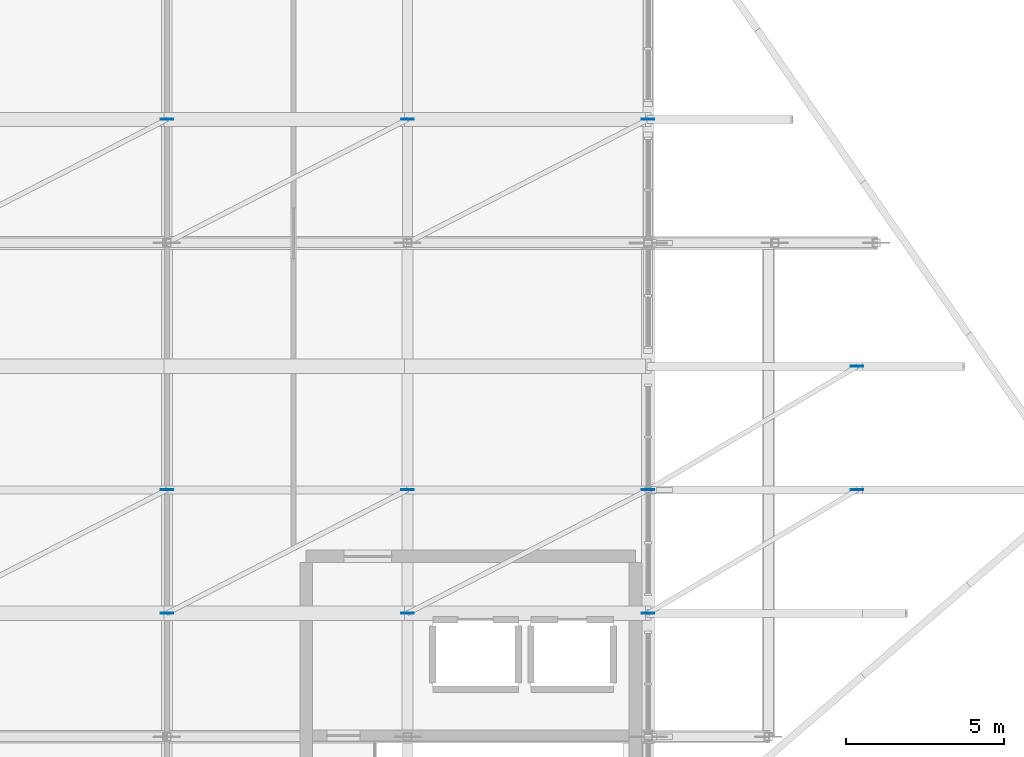
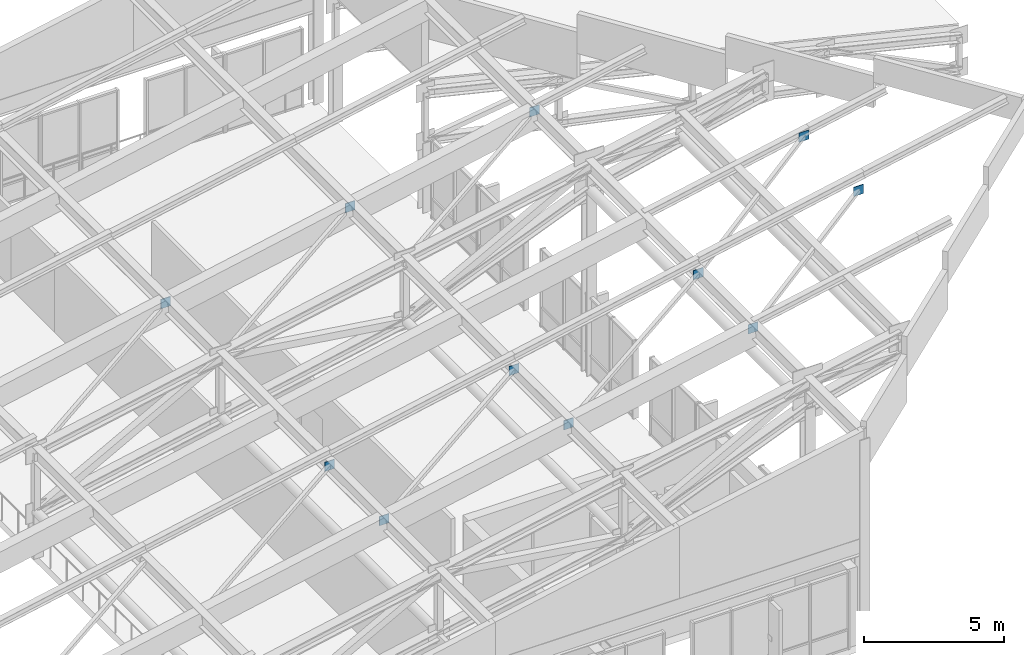
# One storey, part 48 of 73: 11 plates.
"""IFC4 building model written with IfcOpenShell, lengths in metres."""

from ifc_helpers import new_model, si_unit, direction, frame, origin, origin_2d, place, context, subcontext, project, spatial, rectangle, extrude, material, layer, layer_set, type_object, element, save


model = new_model("IFC4")

# Units and contexts
model_context = context("Model", 3, precision=1e-05, world=origin(), true_north=direction((0.0, 1.0)))
body_context = subcontext(model_context, "Body", "Model", "MODEL_VIEW")
ifc_project = project(units=[si_unit("LENGTHUNIT", "METRE"), si_unit("AREAUNIT", "SQUARE_METRE"), si_unit("VOLUMEUNIT", "CUBIC_METRE"), si_unit("PLANEANGLEUNIT", "RADIAN"), si_unit("MASSUNIT", "GRAM", prefix="KILO")], contexts=[model_context])

# Site, building, storey
site_placement = place(None, origin())
site = spatial("IfcSite", under=ifc_project, at=site_placement, CompositionType="ELEMENT")
building_placement = place(site_placement, origin())
building = spatial("IfcBuilding", under=site, at=building_placement, Name="Vervanel Yard Central Library", CompositionType="ELEMENT")
storey_placement = place(building_placement, frame((0.0, 0.0, 12.780029296875)))
storey = spatial("IfcBuildingStorey", under=building, at=storey_placement, Name="L03", CompositionType="ELEMENT", Elevation=12.780029296875)

# Plates
ifc_material = material(Name="Steel ASTM A572 Grade 50", Category="steel")
ifc_layer = layer(ifc_material, 0.028076171875, Category="steel")
ifc_layer_set = layer_set([ifc_layer], Name="Steel ASTM A572 Grade 50")
plate_type = type_object("IfcPlateType", Name="Brace End Cap Plate 28", PredefinedType="SHEET", material=ifc_layer_set)
for number, where, z_axis, x_axis, name in (
    (1, (130.800048828125, 54.89990234375, 5.791259765625), (0.0, 0.0, 1.0), (1.0, 0.0, 0.0), "Shell Diaphragm Brace End Cap B5-2-2"),
    (2, (130.800048828125, 66.60009765625, 5.791259765625), (0.0, 0.0, 1.0), (1.0, 0.0, 0.0), "Shell Diaphragm Brace End Cap B5-5-2"),
    (3, (130.800048828125, 51.0, 5.791259765625), (0.0, 0.0, 1.0), (1.0, 0.0, 0.0), "Shell Diaphragm Brace End Cap B6-2-1"),
    (4, (138.39990234375, 54.89990234375, 7.30810546875), (0.0, 0.0, 1.0), (1.0, 0.0, 0.0), "Shell Diaphragm Brace End Cap B6-2-2"),
    (5, (138.39990234375, 66.60009765625, 7.30810546875), (0.0, 0.0, 1.0), (1.0, 0.0, 0.0), "Shell Diaphragm Brace End Cap B6-5-2"),
    (6, (138.39990234375, 51.0, 7.30810546875), (0.0, 0.0, 1.0), (1.0, 0.0, 0.0), "Shell Diaphragm Brace End Cap B7-2-1"),
    (7, (146.0, 54.89990234375, 8.825439453125), (0.0, 0.0, 1.0), (1.0, 0.0, 0.0), "Shell Diaphragm Brace End Cap B7-2-2"),
    (8, (146.0, 66.60009765625, 8.825439453125), (0.0, 0.0, 1.0), (1.0, 0.0, 0.0), "Shell Diaphragm Brace End Cap B7-5-2"),
    (9, (146.0, 51.0, 8.825439453125), (0.0, 0.0, 1.0), (1.0, 0.0, 0.0), "Shell Diaphragm Brace End Cap B8-2-1"),
    (10, (152.60009765625, 54.89990234375, 10.142822265625), (0.0, 0.0, 1.0), (1.0, 0.0, 0.0), "Shell Diaphragm Brace End Cap B8-2-2"),
    (11, (152.60009765625, 58.800048828125, 10.142822265625), (0.0, 0.0, 1.0), (1.0, 0.0, 0.0), "Shell Diaphragm Brace End Cap B8-3-2"),
):
    element("IfcPlate", number, at=place(storey_placement, frame(where, z_axis=z_axis, x_axis=x_axis)), inside=storey, type_object=plate_type, Name=name, PredefinedType="SHEET", context=body_context, shape_type="SweptSolid", body=[
        extrude(rectangle(XDim=0.39990234375, YDim=0.028076171875, at=origin_2d()), origin(), (0.0, 0.0, 1.0), 0.39990234375),
    ])

save(model, "model.ifc")
